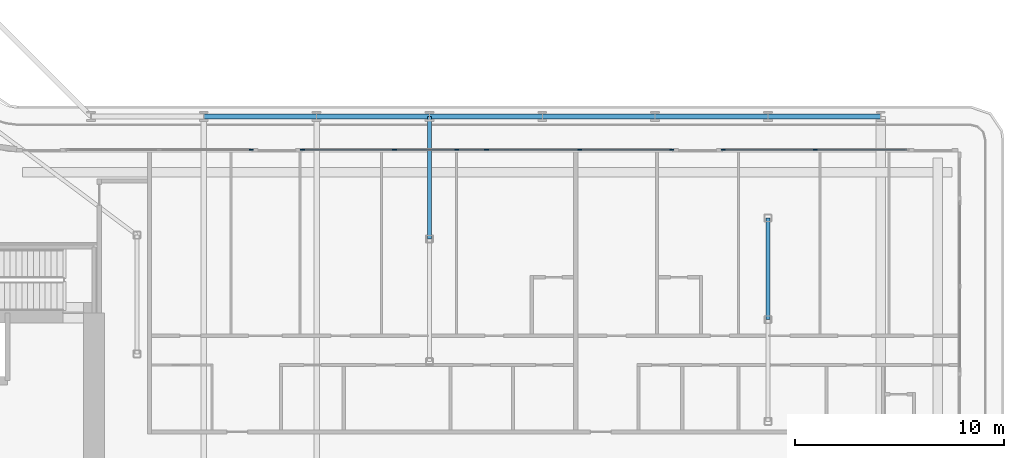
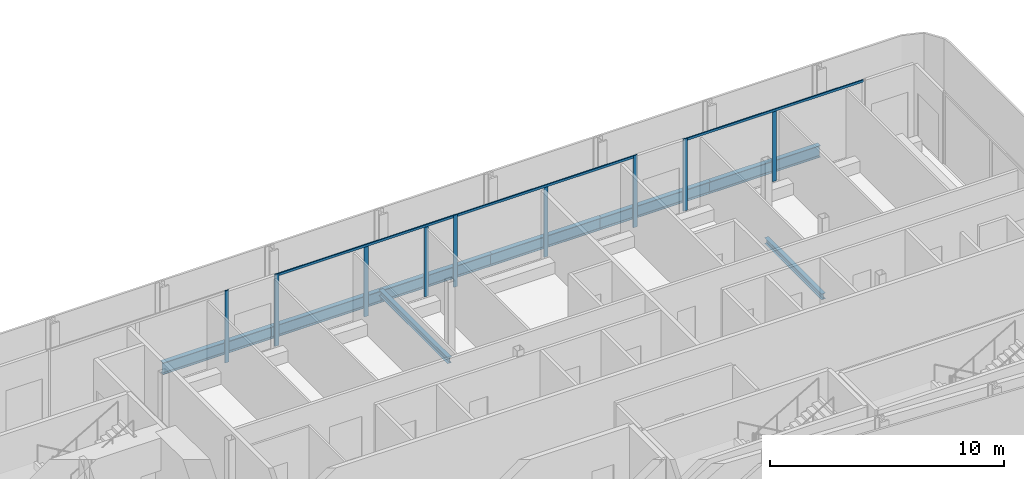
# One storey, part 6 of 27: 12 members, 8 beams, 4 elements without a shape of their own.
"""IFC4 building model written with IfcOpenShell, lengths in metres."""

from ifc_helpers import new_model, si_unit, direction, frame, origin, origin_2d, place, context, subcontext, project, spatial, rectangle, i_section, extrude, material, layer, layer_set, material_profile, profile_set, type_object, element, aggregate, save


model = new_model("IFC4")

# Units and contexts
model_context = context("Model", 3, precision=1e-05, world=origin(), true_north=direction((0.0, 1.0)))
body_context = subcontext(model_context, "Body", "Model", "MODEL_VIEW")
ifc_project = project(units=[si_unit("LENGTHUNIT", "METRE"), si_unit("AREAUNIT", "SQUARE_METRE"), si_unit("VOLUMEUNIT", "CUBIC_METRE"), si_unit("PLANEANGLEUNIT", "RADIAN"), si_unit("MASSUNIT", "GRAM", prefix="KILO")], contexts=[model_context])

# Site, building, storey
site_placement = place(None, origin())
site = spatial("IfcSite", under=ifc_project, at=site_placement, CompositionType="ELEMENT")
building_placement = place(site_placement, origin())
building = spatial("IfcBuilding", under=site, at=building_placement, Name="Kheshtan School and Residences Tower", CompositionType="ELEMENT")
storey_placement = place(building_placement, frame((0.0, 0.0, 50.0)))
storey = spatial("IfcBuildingStorey", under=building, at=storey_placement, Name="L11", CompositionType="ELEMENT", Elevation=50.0)

# Beams
ifc_material_1 = material(Name="Steel ASTM A992 Grade 50", Category="steel")
ifc_material_profile_1 = material_profile(ifc_material_1, i_section(OverallWidth=0.202880859375, OverallDepth=0.302978515625, WebThickness=0.007568359375, FlangeThickness=0.01318359375, FilletRadius=0.009033203125, at=origin_2d()), Name="W310x60")
ifc_profile_set_1 = profile_set([ifc_material_profile_1], Name="Steel ASTM A992 Grade 50")
beam_type_1 = type_object("IfcBeamType", Name="Beam FB1 W310x60 ASTM A992 Grade 50", PredefinedType="BEAM", material=ifc_profile_set_1)
beam_1_placement = place(storey_placement, frame((69.199951171875, 45.60009765625, -0.301513671875), z_axis=(0.0, -1.0, 0.0), x_axis=(1.0, 0.0, 0.0)))
element("IfcBeam", 1, at=beam_1_placement, inside=storey, type_object=beam_type_1, Name="Floor beam C064", PredefinedType="BEAM", context=body_context, shape_type="SweptSolid", body=[
    extrude(i_section(OverallWidth=0.202880859375, OverallDepth=0.302978515625, WebThickness=0.007568359375, FlangeThickness=0.01318359375, FilletRadius=0.009033203125, at=origin_2d()), origin(), (0.0, 0.0, 1.0), 5.8681640625),
])
beam_2_placement = place(storey_placement, frame((85.39990234375, 40.735107421875, -0.301513671875), z_axis=(0.0, -1.0, 0.0), x_axis=(1.0, 0.0, 0.0)))
element("IfcBeam", 2, at=beam_2_placement, inside=storey, type_object=beam_type_1, Name="Floor beam IC", PredefinedType="BEAM", context=body_context, shape_type="SweptSolid", body=[
    extrude(i_section(OverallWidth=0.202880859375, OverallDepth=0.302978515625, WebThickness=0.007568359375, FlangeThickness=0.01318359375, FilletRadius=0.009033203125, at=origin_2d()), origin(), (0.0, 0.0, 1.0), 4.864990234375),
])
ifc_material_profile_2 = material_profile(ifc_material_1, i_section(OverallWidth=0.22998046875, OverallDepth=0.616943359375, WebThickness=0.01318359375, FlangeThickness=0.022216796875, FilletRadius=0.0185546875, at=origin_2d()), Name="W610x140")
ifc_profile_set_2 = profile_set([ifc_material_profile_2], Name="Steel ASTM A992 Grade 50")
beam_type_2 = type_object("IfcBeamType", Name="Beam SP1 W610x140 ASTM A992 Grade 50", PredefinedType="BEAM", material=ifc_profile_set_2)
beam_3_placement = place(storey_placement, frame((58.39990234375, 45.60009765625, -0.45849609375), z_axis=(1.0, 0.0, 0.0), x_axis=(0.0, 1.0, 0.0)))
element("IfcBeam", 3, at=beam_3_placement, inside=storey, type_object=beam_type_2, Name="Spandrel beam C062-C063", PredefinedType="BEAM", context=body_context, shape_type="SweptSolid", body=[
    extrude(i_section(OverallWidth=0.22998046875, OverallDepth=0.616943359375, WebThickness=0.01318359375, FlangeThickness=0.022216796875, FilletRadius=0.0185546875, at=origin_2d()), origin(), (0.0, 0.0, 1.0), 5.400146484375),
])
beam_4_placement = place(storey_placement, frame((63.800048828125, 45.60009765625, -0.45849609375), z_axis=(1.0, 0.0, 0.0), x_axis=(0.0, 1.0, 0.0)))
element("IfcBeam", 4, at=beam_4_placement, inside=storey, type_object=beam_type_2, Name="Spandrel beam C063-C064", PredefinedType="BEAM", context=body_context, shape_type="SweptSolid", body=[
    extrude(i_section(OverallWidth=0.22998046875, OverallDepth=0.616943359375, WebThickness=0.01318359375, FlangeThickness=0.022216796875, FilletRadius=0.0185546875, at=origin_2d()), origin(), (0.0, 0.0, 1.0), 5.39990234375),
])
beam_5_placement = place(storey_placement, frame((69.199951171875, 45.60009765625, -0.45849609375), z_axis=(1.0, 0.0, 0.0), x_axis=(0.0, 1.0, 0.0)))
element("IfcBeam", 5, at=beam_5_placement, inside=storey, type_object=beam_type_2, Name="Spandrel beam C064-C065", PredefinedType="BEAM", context=body_context, shape_type="SweptSolid", body=[
    extrude(i_section(OverallWidth=0.22998046875, OverallDepth=0.616943359375, WebThickness=0.01318359375, FlangeThickness=0.022216796875, FilletRadius=0.0185546875, at=origin_2d()), origin(), (0.0, 0.0, 1.0), 5.400146484375),
])
for number, where, z_axis, x_axis, name in (
    (6, (74.60009765625, 45.60009765625, -0.45849609375), (1.0, 0.0, 0.0), (0.0, 1.0, 0.0), "Spandrel beam C065-C066"),
    (7, (80.0, 45.60009765625, -0.45849609375), (1.0, 0.0, 0.0), (0.0, 1.0, 0.0), "Spandrel beam C066-C067"),
):
    element("IfcBeam", number, at=place(storey_placement, frame(where, z_axis=z_axis, x_axis=x_axis)), inside=storey, type_object=beam_type_2, Name=name, PredefinedType="BEAM", context=body_context, shape_type="SweptSolid", body=[
        extrude(i_section(OverallWidth=0.22998046875, OverallDepth=0.616943359375, WebThickness=0.01318359375, FlangeThickness=0.022216796875, FilletRadius=0.0185546875, at=origin_2d()), origin(), (0.0, 0.0, 1.0), 5.39990234375),
    ])
beam_6_placement = place(storey_placement, frame((85.39990234375, 45.60009765625, -0.45849609375), z_axis=(1.0, 0.0, 0.0), x_axis=(0.0, 1.0, 0.0)))
element("IfcBeam", 8, at=beam_6_placement, inside=storey, type_object=beam_type_2, Name="Spandrel beam C067-C068", PredefinedType="BEAM", context=body_context, shape_type="SweptSolid", body=[
    extrude(i_section(OverallWidth=0.22998046875, OverallDepth=0.616943359375, WebThickness=0.01318359375, FlangeThickness=0.022216796875, FilletRadius=0.0185546875, at=origin_2d()), origin(), (0.0, 0.0, 1.0), 5.400146484375),
])

# Curtain wall, member
ifc_material_2 = material(Name="Clear low-e glass in thermally broken aluminium frame", Category="aluminium")
ifc_layer = layer(ifc_material_2, 0.199951171875)
ifc_layer_set = layer_set([ifc_layer], Name="Curtain wall CW-L")
curtain_wall_type = type_object("IfcCurtainWallType", Name="Curtain wall CW-L", PredefinedType="NOTDEFINED", material=ifc_layer_set)
curtain_wall_1_placement = place(storey_placement, origin())
curtain_wall_1 = element("IfcCurtainWall", 9, at=curtain_wall_1_placement, inside=storey, type_object=curtain_wall_type, Name="Curtain wall CWL12f", PredefinedType="NOTDEFINED")
ifc_material_3 = material(Name="Thermally broken aluminium, dark bronze anodised", Category="aluminium")
ifc_material_profile_3 = material_profile(ifc_material_3, rectangle(XDim=0.06005859375, YDim=0.199951171875, at=origin_2d()), Name="CW-L mullion 60x200")
ifc_profile_set_3 = profile_set([ifc_material_profile_3], Name="Thermally broken aluminium, dark bronze anodised")
member_type_1 = type_object("IfcMemberType", Name="CW-L mullion 60x200", PredefinedType="MULLION", material=ifc_profile_set_3)
member_1_placement = place(storey_placement, frame((60.66748046875, 44.0, 0.0), z_axis=(0.0, 0.0, 1.0), x_axis=(0.0, 1.0, 0.0)))
member_1 = element("IfcMember", 10, at=member_1_placement, type_object=member_type_1, Name="CWL12f mullion 3", PredefinedType="MULLION", context=body_context, shape_type="SweptSolid", body=[
    extrude(rectangle(XDim=0.06005859375, YDim=0.199951171875, at=origin_2d()), origin(), (0.0, 0.0, 1.0), 3.75),
])
aggregate(curtain_wall_1, [member_1])

# Curtain wall, members
curtain_wall_2_placement = place(storey_placement, origin())
curtain_wall_2 = element("IfcCurtainWall", 11, at=curtain_wall_2_placement, inside=storey, type_object=curtain_wall_type, Name="Curtain wall CWL12g", PredefinedType="NOTDEFINED")
member_2_placement = place(storey_placement, frame((63.12744140625, 44.0, 0.0), z_axis=(0.0, 0.0, 1.0), x_axis=(0.0, 1.0, 0.0)))
member_2 = element("IfcMember", 12, at=member_2_placement, type_object=member_type_1, Name="CWL12g mullion 1", PredefinedType="MULLION", context=body_context, shape_type="SweptSolid", body=[
    extrude(rectangle(XDim=0.06005859375, YDim=0.199951171875, at=origin_2d()), origin(), (0.0, 0.0, 1.0), 3.75),
])
member_3_placement = place(storey_placement, frame((67.53125, 44.0, 0.0), z_axis=(0.0, 0.0, 1.0), x_axis=(0.0, 1.0, 0.0)))
member_3 = element("IfcMember", 13, at=member_3_placement, type_object=member_type_1, Name="CWL12g mullion 2", PredefinedType="MULLION", context=body_context, shape_type="SweptSolid", body=[
    extrude(rectangle(XDim=0.06005859375, YDim=0.199951171875, at=origin_2d()), origin(), (0.0, 0.0, 1.0), 3.6298828125),
])
member_4_placement = place(storey_placement, frame((70.5, 44.0, 0.0), z_axis=(0.0, 0.0, 1.0), x_axis=(0.0, 1.0, 0.0)))
member_4 = element("IfcMember", 14, at=member_4_placement, type_object=member_type_1, Name="CWL12g mullion 3", PredefinedType="MULLION", context=body_context, shape_type="SweptSolid", body=[
    extrude(rectangle(XDim=0.06005859375, YDim=0.199951171875, at=origin_2d()), origin(), (0.0, 0.0, 1.0), 3.6298828125),
])
member_5_placement = place(storey_placement, frame((71.93505859375, 44.0, 0.0), z_axis=(0.0, 0.0, 1.0), x_axis=(0.0, 1.0, 0.0)))
member_5 = element("IfcMember", 15, at=member_5_placement, type_object=member_type_1, Name="CWL12g mullion 4", PredefinedType="MULLION", context=body_context, shape_type="SweptSolid", body=[
    extrude(rectangle(XDim=0.06005859375, YDim=0.199951171875, at=origin_2d()), origin(), (0.0, 0.0, 1.0), 3.75),
])

curtain_wall_3_placement = place(storey_placement, origin())
curtain_wall_3 = element("IfcCurtainWall", 16, at=curtain_wall_3_placement, inside=storey, type_object=curtain_wall_type, Name="Curtain wall CWL12i", PredefinedType="NOTDEFINED")
member_6_placement = place(storey_placement, frame((76.398681640625, 44.0, 0.0), z_axis=(0.0, 0.0, 1.0), x_axis=(0.0, 1.0, 0.0)))
member_6 = element("IfcMember", 17, at=member_6_placement, type_object=member_type_1, Name="CWL12i mullion 2", PredefinedType="MULLION", context=body_context, shape_type="SweptSolid", body=[
    extrude(rectangle(XDim=0.06005859375, YDim=0.199951171875, at=origin_2d()), origin(), (0.0, 0.0, 1.0), 3.6298828125),
])
member_7_placement = place(storey_placement, frame((80.802490234375, 44.0, 0.0), z_axis=(0.0, 0.0, 1.0), x_axis=(0.0, 1.0, 0.0)))
member_7 = element("IfcMember", 18, at=member_7_placement, type_object=member_type_1, Name="CWL12i mullion 3", PredefinedType="MULLION", context=body_context, shape_type="SweptSolid", body=[
    extrude(rectangle(XDim=0.06005859375, YDim=0.199951171875, at=origin_2d()), origin(), (0.0, 0.0, 1.0), 3.75),
])

curtain_wall_4_placement = place(storey_placement, origin())
curtain_wall_4 = element("IfcCurtainWall", 19, at=curtain_wall_4_placement, inside=storey, type_object=curtain_wall_type, Name="Curtain wall CWL12i", PredefinedType="NOTDEFINED")
member_8_placement = place(storey_placement, frame((83.262451171875, 44.0, 0.0), z_axis=(0.0, 0.0, 1.0), x_axis=(0.0, 1.0, 0.0)))
member_8 = element("IfcMember", 20, at=member_8_placement, type_object=member_type_1, Name="CWL12i mullion 1", PredefinedType="MULLION", context=body_context, shape_type="SweptSolid", body=[
    extrude(rectangle(XDim=0.06005859375, YDim=0.199951171875, at=origin_2d()), origin(), (0.0, 0.0, 1.0), 3.75),
])
member_9_placement = place(storey_placement, frame((87.666259765625, 44.0, 0.0), z_axis=(0.0, 0.0, 1.0), x_axis=(0.0, 1.0, 0.0)))
member_9 = element("IfcMember", 21, at=member_9_placement, type_object=member_type_1, Name="CWL12i mullion 2", PredefinedType="MULLION", context=body_context, shape_type="SweptSolid", body=[
    extrude(rectangle(XDim=0.06005859375, YDim=0.199951171875, at=origin_2d()), origin(), (0.0, 0.0, 1.0), 3.6298828125),
])

# Member
ifc_material_profile_4 = material_profile(ifc_material_3, rectangle(XDim=0.06005859375, YDim=0.1201171875, at=origin_2d()), Name="CW-L transom 60x120")
ifc_profile_set_4 = profile_set([ifc_material_profile_4], Name="Thermally broken aluminium, dark bronze anodised")
member_type_2 = type_object("IfcMemberType", Name="CW-L transom 60x120", PredefinedType="USERDEFINED", material=ifc_profile_set_4)
member_10_placement = place(storey_placement, frame((63.157470703125, 44.0, 3.68994140625), z_axis=(1.0, 0.0, 0.0), x_axis=(0.0, 1.0, 0.0)))
member_10 = element("IfcMember", 22, at=member_10_placement, type_object=member_type_2, Name="CWL12g transom 1", ObjectType="TRANSOM", PredefinedType="USERDEFINED", context=body_context, shape_type="SweptSolid", body=[
    extrude(rectangle(XDim=0.06005859375, YDim=0.1201171875, at=origin_2d()), origin(), (0.0, 0.0, 1.0), 8.74755859375),
])

aggregate(curtain_wall_2, [member_2, member_3, member_4, member_5, member_10])

member_11_placement = place(storey_placement, frame((71.965087890625, 44.0, 3.68994140625), z_axis=(1.0, 0.0, 0.0), x_axis=(0.0, 1.0, 0.0)))
member_11 = element("IfcMember", 23, at=member_11_placement, type_object=member_type_2, Name="CWL12i transom 1", ObjectType="TRANSOM", PredefinedType="USERDEFINED", context=body_context, shape_type="SweptSolid", body=[
    extrude(rectangle(XDim=0.06005859375, YDim=0.1201171875, at=origin_2d()), origin(), (0.0, 0.0, 1.0), 8.807373046875),
])

aggregate(curtain_wall_3, [member_6, member_7, member_11])

member_12_placement = place(storey_placement, frame((83.29248046875, 44.0, 3.68994140625), z_axis=(1.0, 0.0, 0.0), x_axis=(0.0, 1.0, 0.0)))
member_12 = element("IfcMember", 24, at=member_12_placement, type_object=member_type_2, Name="CWL12i transom 1", ObjectType="TRANSOM", PredefinedType="USERDEFINED", context=body_context, shape_type="SweptSolid", body=[
    extrude(rectangle(XDim=0.06005859375, YDim=0.1201171875, at=origin_2d()), origin(), (0.0, 0.0, 1.0), 8.74755859375),
])

aggregate(curtain_wall_4, [member_8, member_9, member_12])

save(model, "model.ifc")
